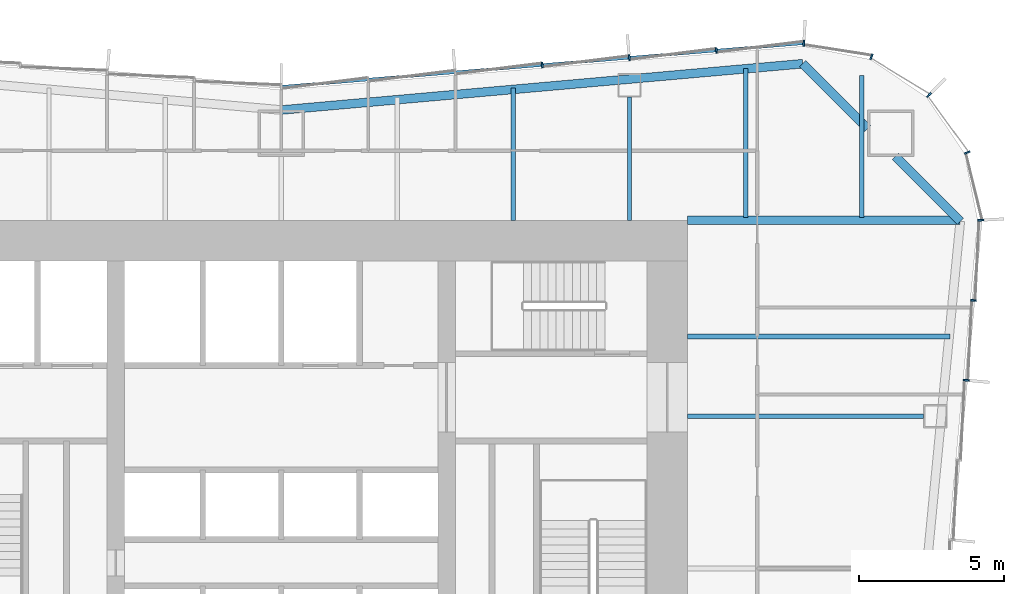
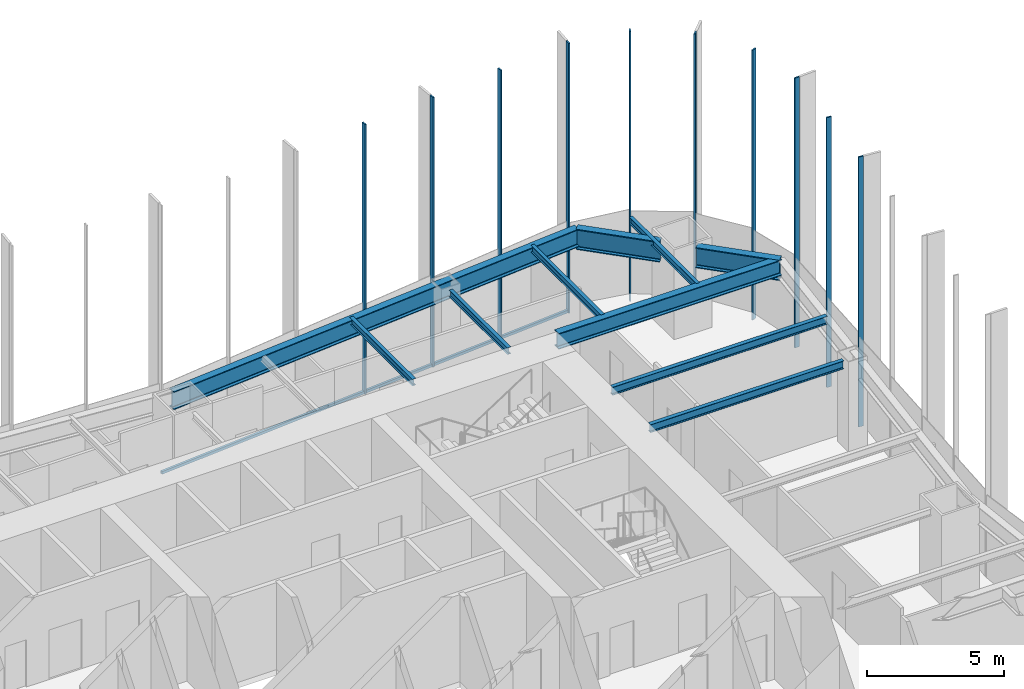
# One storey, part 7 of 13: 11 members, 10 beams, 3 elements without a shape of their own.
"""IFC4 building model written with IfcOpenShell, lengths in metres."""

from ifc_helpers import new_model, si_unit, direction, frame, origin, origin_2d, place, context, subcontext, project, spatial, rectangle, i_section, extrude, material, material_profile, profile_set, type_object, element, aggregate, save


model = new_model("IFC4")

# Units and contexts
model_context = context("Model", 3, precision=1e-05, world=origin(), true_north=direction((0.0, 1.0)))
body_context = subcontext(model_context, "Body", "Model", "MODEL_VIEW")
ifc_project = project(units=[si_unit("LENGTHUNIT", "METRE"), si_unit("AREAUNIT", "SQUARE_METRE"), si_unit("VOLUMEUNIT", "CUBIC_METRE"), si_unit("PLANEANGLEUNIT", "RADIAN"), si_unit("MASSUNIT", "GRAM", prefix="KILO")], contexts=[model_context])

# Site, building, storey
site_placement = place(None, origin())
site = spatial("IfcSite", under=ifc_project, at=site_placement, CompositionType="ELEMENT")
building_placement = place(site_placement, origin())
building = spatial("IfcBuilding", under=site, at=building_placement, Name="Verdant Reach Tower", CompositionType="ELEMENT")
storey_placement = place(building_placement, frame((0.0, 0.0, 26.0)))
storey = spatial("IfcBuildingStorey", under=building, at=storey_placement, Name="L05", CompositionType="ELEMENT", Elevation=26.0)

# Curtain wall, members
ifc_material_1 = material(Name="Anodised aluminium", Category="aluminium")
curtain_wall_type = type_object("IfcCurtainWallType", Name="EN-CW SYSTEM Z0", PredefinedType="NOTDEFINED", material=ifc_material_1)
curtain_wall_1_placement = place(storey_placement, origin())
curtain_wall_1 = element("IfcCurtainWall", 1, at=curtain_wall_1_placement, inside=storey, type_object=curtain_wall_type, Name="Curtain wall east, L05", PredefinedType="NOTDEFINED")
ifc_material_profile_1 = material_profile(ifc_material_1, rectangle(XDim=0.199951171875, YDim=0.06005859375, at=origin_2d()), Name="Mullion 60x200")
ifc_profile_set_1 = profile_set([ifc_material_profile_1], Name="Anodised aluminium")
member_type_1 = type_object("IfcMemberType", Name="EN-MULLION Z0", PredefinedType="MULLION", material=ifc_profile_set_1)
member_1_placement = place(storey_placement, frame((23.599609375, 33.490966796875, -0.35009765625), z_axis=(0.0, 0.0, 1.0), x_axis=(0.995893206467, -0.090535746047, 0.0)))
member_1 = element("IfcMember", 2, at=member_1_placement, type_object=member_type_1, Name="Mullion east face part 2 5, L05", PredefinedType="MULLION", context=body_context, shape_type="SweptSolid", body=[
    extrude(rectangle(XDim=0.199951171875, YDim=0.06005859375, at=origin_2d()), origin(), (0.0, 0.0, 1.0), 12.0),
])
member_2_placement = place(storey_placement, frame((23.849609375, 36.240966796875, -0.35009765625), z_axis=(0.0, 0.0, 1.0), x_axis=(0.995893206467, -0.090535746047, 0.0)))
member_2 = element("IfcMember", 3, at=member_2_placement, type_object=member_type_1, Name="Mullion east face part 2 6, L05", PredefinedType="MULLION", context=body_context, shape_type="SweptSolid", body=[
    extrude(rectangle(XDim=0.199951171875, YDim=0.06005859375, at=origin_2d()), origin(), (0.0, 0.0, 1.0), 12.0),
])
aggregate(curtain_wall_1, [member_1, member_2])

curtain_wall_2_placement = place(storey_placement, origin())
curtain_wall_2 = element("IfcCurtainWall", 4, at=curtain_wall_2_placement, inside=storey, type_object=curtain_wall_type, Name="Curtain wall north-east corner, L05", PredefinedType="NOTDEFINED")
member_3_placement = place(storey_placement, frame((24.099853515625, 39.00537109375, -0.35009765625), z_axis=(0.0, 0.0, 1.0), x_axis=(0.998604288049, 0.052815489107, 0.0)))
member_3 = element("IfcMember", 5, at=member_3_placement, type_object=member_type_1, Name="Mullion north-east corner 1, L05", PredefinedType="MULLION", context=body_context, shape_type="SweptSolid", body=[
    extrude(rectangle(XDim=0.199951171875, YDim=0.06005859375, at=origin_2d()), origin(), (0.0, 0.0, 1.0), 12.0),
])
member_4_placement = place(storey_placement, frame((23.6357421875, 41.33447265625, -0.35009765625), z_axis=(0.0, 0.0, 1.0), x_axis=(0.923875215753, 0.382693853776, 0.0)))
member_4 = element("IfcMember", 6, at=member_4_placement, type_object=member_type_1, Name="Mullion north-east corner 2, L05", PredefinedType="MULLION", context=body_context, shape_type="SweptSolid", body=[
    extrude(rectangle(XDim=0.199951171875, YDim=0.06005859375, at=origin_2d()), origin(), (0.0, 0.0, 1.0), 12.0),
])
member_5_placement = place(storey_placement, frame((22.313232421875, 43.313232421875, -0.35009765625), z_axis=(0.0, 0.0, 1.0), x_axis=(0.707106781187, 0.707106781187, 0.0)))
member_5 = element("IfcMember", 7, at=member_5_placement, type_object=member_type_1, Name="Mullion north-east corner 3, L05", PredefinedType="MULLION", context=body_context, shape_type="SweptSolid", body=[
    extrude(rectangle(XDim=0.199951171875, YDim=0.06005859375, at=origin_2d()), origin(), (0.0, 0.0, 1.0), 12.0),
])
member_6_placement = place(storey_placement, frame((20.33447265625, 44.6357421875, -0.35009765625), z_axis=(0.0, 0.0, 1.0), x_axis=(0.382693853776, 0.923875215753, 0.0)))
member_6 = element("IfcMember", 8, at=member_6_placement, type_object=member_type_1, Name="Mullion north-east corner 4, L05", PredefinedType="MULLION", context=body_context, shape_type="SweptSolid", body=[
    extrude(rectangle(XDim=0.199951171875, YDim=0.06005859375, at=origin_2d()), origin(), (0.0, 0.0, 1.0), 12.0),
])
aggregate(curtain_wall_2, [member_3, member_4, member_5, member_6])

curtain_wall_3_placement = place(storey_placement, origin())
curtain_wall_3 = element("IfcCurtainWall", 9, at=curtain_wall_3_placement, inside=storey, type_object=curtain_wall_type, Name="Curtain wall north, L05", PredefinedType="NOTDEFINED")
member_7_placement = place(storey_placement, frame((18.005615234375, 45.099853515625, -0.35009765625), z_axis=(0.0, 0.0, 1.0), x_axis=(0.056569187765, 0.998398681387, 0.0)))
member_7 = element("IfcMember", 10, at=member_7_placement, type_object=member_type_1, Name="Mullion north face part 1 1, L05", PredefinedType="MULLION", context=body_context, shape_type="SweptSolid", body=[
    extrude(rectangle(XDim=0.199951171875, YDim=0.06005859375, at=origin_2d()), origin(), (0.0, 0.0, 1.0), 12.0),
])
member_8_placement = place(storey_placement, frame((14.99169921875, 44.849609375, -0.35009765625), z_axis=(0.0, 0.0, 1.0), x_axis=(-0.083045479859, 0.996545758244, 0.0)))
member_8 = element("IfcMember", 11, at=member_8_placement, type_object=member_type_1, Name="Mullion north face part 1 2, L05", PredefinedType="MULLION", context=body_context, shape_type="SweptSolid", body=[
    extrude(rectangle(XDim=0.199951171875, YDim=0.06005859375, at=origin_2d()), origin(), (0.0, 0.0, 1.0), 12.0),
])
member_9_placement = place(storey_placement, frame((11.99169921875, 44.599609375, -0.35009765625), z_axis=(0.0, 0.0, 1.0), x_axis=(-0.083045479859, 0.996545758244, 0.0)))
member_9 = element("IfcMember", 12, at=member_9_placement, type_object=member_type_1, Name="Mullion north face part 1 3, L05", PredefinedType="MULLION", context=body_context, shape_type="SweptSolid", body=[
    extrude(rectangle(XDim=0.199951171875, YDim=0.06005859375, at=origin_2d()), origin(), (0.0, 0.0, 1.0), 12.0),
])
member_10_placement = place(storey_placement, frame((8.99169921875, 44.349609375, -0.35009765625), z_axis=(0.0, 0.0, 1.0), x_axis=(-0.083045479859, 0.996545758244, 0.0)))
member_10 = element("IfcMember", 13, at=member_10_placement, type_object=member_type_1, Name="Mullion north face part 1 4, L05", PredefinedType="MULLION", context=body_context, shape_type="SweptSolid", body=[
    extrude(rectangle(XDim=0.199951171875, YDim=0.06005859375, at=origin_2d()), origin(), (0.0, 0.0, 1.0), 12.0),
])
ifc_material_profile_2 = material_profile(ifc_material_1, rectangle(XDim=0.10009765625, YDim=0.1201171875, at=origin_2d()), Name="Transom 120x100")
ifc_profile_set_2 = profile_set([ifc_material_profile_2], Name="Anodised aluminium")
member_type_2 = type_object("IfcMemberType", Name="EN-TRANSOM Z0", PredefinedType="USERDEFINED", material=ifc_profile_set_2)
member_11_placement = place(storey_placement, frame((17.975830078125, 45.097412109375, -0.2900390625), z_axis=(-0.996548656072, -0.083010698588, 0.0), x_axis=(0.083010698588, -0.996548656072, 0.0)))
member_11 = element("IfcMember", 14, at=member_11_placement, type_object=member_type_2, Name="Transom north face part 1 1.1, L05", ObjectType="TRANSOM", PredefinedType="USERDEFINED", context=body_context, shape_type="SweptSolid", body=[
    extrude(rectangle(XDim=0.10009765625, YDim=0.1201171875, at=origin_2d()), origin(), (0.0, 0.0, 1.0), 18.00830078125),
])
aggregate(curtain_wall_3, [member_7, member_8, member_9, member_10, member_11])

# Beams
ifc_material_2 = material(Name="Steel S355", Category="steel")
ifc_material_profile_3 = material_profile(ifc_material_2, i_section(OverallWidth=0.300048828125, OverallDepth=0.699951171875, WebThickness=0.01708984375, FlangeThickness=0.031982421875, FilletRadius=0.027099609375, at=origin_2d()), Name="HEB 700")
ifc_profile_set_3 = profile_set([ifc_material_profile_3], Name="Steel S355")
beam_type_1 = type_object("IfcBeamType", Name="ST-BEAM-HEB700", PredefinedType="BEAM", material=ifc_profile_set_3)
beam_1_placement = place(storey_placement, frame((14.0, 39.0, 3.52001953125), z_axis=(1.0, 0.0, 0.0), x_axis=(0.0, 1.0, 0.0)))
element("IfcBeam", 15, at=beam_1_placement, inside=storey, type_object=beam_type_1, Name="Trimmer beam, L05", PredefinedType="BEAM", context=body_context, shape_type="SweptSolid", body=[
    extrude(i_section(OverallWidth=0.300048828125, OverallDepth=0.699951171875, WebThickness=0.01708984375, FlangeThickness=0.031982421875, FilletRadius=0.027099609375, at=origin_2d()), origin(), (0.0, 0.0, 1.0), 9.38818359375),
])
ifc_material_profile_4 = material_profile(ifc_material_2, i_section(OverallWidth=0.14990234375, OverallDepth=0.300048828125, WebThickness=0.007080078125, FlangeThickness=0.0107421875, FilletRadius=0.014892578125, at=origin_2d()), Name="IPE 300")
ifc_profile_set_4 = profile_set([ifc_material_profile_4], Name="Steel S355")
beam_type_2 = type_object("IfcBeamType", Name="ST-JOIST-IPE300", PredefinedType="JOIST", material=ifc_profile_set_4)
beam_2_placement = place(storey_placement, frame((8.0, 39.0, 3.719970703125), z_axis=(0.0, 1.0, 0.0), x_axis=(-1.0, 0.0, 0.0)))
element("IfcBeam", 16, at=beam_2_placement, inside=storey, type_object=beam_type_2, Name="Floor joist, L05", PredefinedType="JOIST", context=body_context, shape_type="SweptSolid", body=[
    extrude(i_section(OverallWidth=0.14990234375, OverallDepth=0.300048828125, WebThickness=0.007080078125, FlangeThickness=0.0107421875, FilletRadius=0.014892578125, at=origin_2d()), origin(), (0.0, 0.0, 1.0), 4.564697265625),
])
beam_3_placement = place(storey_placement, frame((12.0, 39.0, 3.719970703125), z_axis=(0.0, 1.0, 0.0), x_axis=(-1.0, 0.0, 0.0)))
element("IfcBeam", 17, at=beam_3_placement, inside=storey, type_object=beam_type_2, Name="Floor joist, L05", PredefinedType="JOIST", context=body_context, shape_type="SweptSolid", body=[
    extrude(i_section(OverallWidth=0.14990234375, OverallDepth=0.300048828125, WebThickness=0.007080078125, FlangeThickness=0.0107421875, FilletRadius=0.014892578125, at=origin_2d()), origin(), (0.0, 0.0, 1.0), 4.25),
])
beam_4_placement = place(storey_placement, frame((16.0, 39.10009765625, 3.719970703125), z_axis=(0.0, 1.0, 0.0), x_axis=(-1.0, 0.0, 0.0)))
element("IfcBeam", 18, at=beam_4_placement, inside=storey, type_object=beam_type_2, Name="Floor joist, L05", PredefinedType="JOIST", context=body_context, shape_type="SweptSolid", body=[
    extrude(i_section(OverallWidth=0.14990234375, OverallDepth=0.300048828125, WebThickness=0.007080078125, FlangeThickness=0.0107421875, FilletRadius=0.014892578125, at=origin_2d()), origin(), (0.0, 0.0, 1.0), 5.131103515625),
])
beam_5_placement = place(storey_placement, frame((20.0, 39.10009765625, 3.719970703125), z_axis=(0.0, 1.0, 0.0), x_axis=(-1.0, 0.0, 0.0)))
element("IfcBeam", 19, at=beam_5_placement, inside=storey, type_object=beam_type_2, Name="Floor joist, L05", PredefinedType="JOIST", context=body_context, shape_type="SweptSolid", body=[
    extrude(i_section(OverallWidth=0.14990234375, OverallDepth=0.300048828125, WebThickness=0.007080078125, FlangeThickness=0.0107421875, FilletRadius=0.014892578125, at=origin_2d()), origin(), (0.0, 0.0, 1.0), 4.890380859375),
])
ifc_material_profile_5 = material_profile(ifc_material_2, i_section(OverallWidth=0.169921875, OverallDepth=0.360107421875, WebThickness=0.008056640625, FlangeThickness=0.0126953125, FilletRadius=0.01806640625, at=origin_2d()), Name="IPE 360")
ifc_profile_set_5 = profile_set([ifc_material_profile_5], Name="Steel S355")
beam_type_3 = type_object("IfcBeamType", Name="ST-JOIST-IPE360", PredefinedType="JOIST", material=ifc_profile_set_5)
beam_6_placement = place(storey_placement, frame((14.0, 32.25, 3.68994140625), z_axis=(1.0, 0.0, 0.0), x_axis=(0.0, 1.0, 0.0)))
element("IfcBeam", 20, at=beam_6_placement, inside=storey, type_object=beam_type_3, Name="Floor joist, L05", PredefinedType="JOIST", context=body_context, shape_type="SweptSolid", body=[
    extrude(i_section(OverallWidth=0.169921875, OverallDepth=0.360107421875, WebThickness=0.008056640625, FlangeThickness=0.0126953125, FilletRadius=0.01806640625, at=origin_2d()), origin(), (0.0, 0.0, 1.0), 8.136474609375),
])
beam_7_placement = place(storey_placement, frame((14.0, 35.0, 3.68994140625), z_axis=(1.0, 0.0, 0.0), x_axis=(0.0, 1.0, 0.0)))
element("IfcBeam", 21, at=beam_7_placement, inside=storey, type_object=beam_type_3, Name="Floor joist, L05", PredefinedType="JOIST", context=body_context, shape_type="SweptSolid", body=[
    extrude(i_section(OverallWidth=0.169921875, OverallDepth=0.360107421875, WebThickness=0.008056640625, FlangeThickness=0.0126953125, FilletRadius=0.01806640625, at=origin_2d()), origin(), (0.0, 0.0, 1.0), 9.033935546875),
])
ifc_material_profile_6 = material_profile(ifc_material_2, i_section(OverallWidth=0.300048828125, OverallDepth=0.800048828125, WebThickness=0.017578125, FlangeThickness=0.032958984375, FilletRadius=0.030029296875, at=origin_2d()), Name="HEB 800")
ifc_profile_set_6 = profile_set([ifc_material_profile_6], Name="Steel S355")
beam_type_4 = type_object("IfcBeamType", Name="ST-SPANDREL-HEB800", PredefinedType="SPANDREL", material=ifc_profile_set_6)
beam_8_placement = place(storey_placement, frame((0.0, 42.800048828125, 3.469970703125), z_axis=(0.996082370463, 0.088430262084, 0.0), x_axis=(-0.088430262084, 0.996082370463, 0.0)))
element("IfcBeam", 22, at=beam_8_placement, inside=storey, type_object=beam_type_4, Name="Edge beam, L05", PredefinedType="SPANDREL", context=body_context, shape_type="SweptSolid", body=[
    extrude(i_section(OverallWidth=0.300048828125, OverallDepth=0.800048828125, WebThickness=0.017578125, FlangeThickness=0.032958984375, FilletRadius=0.030029296875, at=origin_2d()), origin(), (0.0, 0.0, 1.0), 18.036376953125),
])
ifc_material_profile_7 = material_profile(ifc_material_2, i_section(OverallWidth=0.302001953125, OverallDepth=0.909912109375, WebThickness=0.02099609375, FlangeThickness=0.0400390625, FilletRadius=0.030029296875, at=origin_2d()), Name="HEM 900")
ifc_profile_set_7 = profile_set([ifc_material_profile_7], Name="Steel S355")
beam_type_5 = type_object("IfcBeamType", Name="ST-SPANDREL-HEM900", PredefinedType="SPANDREL", material=ifc_profile_set_7)
beam_9_placement = place(storey_placement, frame((17.9658203125, 44.39501953125, 3.4150390625), z_axis=(0.707222697162, -0.706990846206, 0.0), x_axis=(0.706990846206, 0.707222697162, 0.0)))
element("IfcBeam", 23, at=beam_9_placement, inside=storey, type_object=beam_type_5, Name="Edge beam, L05", PredefinedType="SPANDREL", context=body_context, shape_type="SweptSolid", body=[
    extrude(i_section(OverallWidth=0.302001953125, OverallDepth=0.909912109375, WebThickness=0.02099609375, FlangeThickness=0.0400390625, FilletRadius=0.030029296875, at=origin_2d()), origin(), (0.0, 0.0, 1.0), 3.158935546875),
])
beam_10_placement = place(storey_placement, frame((21.161865234375, 41.199951171875, 3.4150390625), z_axis=(0.70722277322, -0.706990770123, 0.0), x_axis=(0.706990770123, 0.70722277322, 0.0)))
element("IfcBeam", 24, at=beam_10_placement, inside=storey, type_object=beam_type_5, Name="Edge beam, L05", PredefinedType="SPANDREL", context=body_context, shape_type="SweptSolid", body=[
    extrude(i_section(OverallWidth=0.302001953125, OverallDepth=0.909912109375, WebThickness=0.02099609375, FlangeThickness=0.0400390625, FilletRadius=0.030029296875, at=origin_2d()), origin(), (0.0, 0.0, 1.0), 3.156982421875),
])

save(model, "model.ifc")
